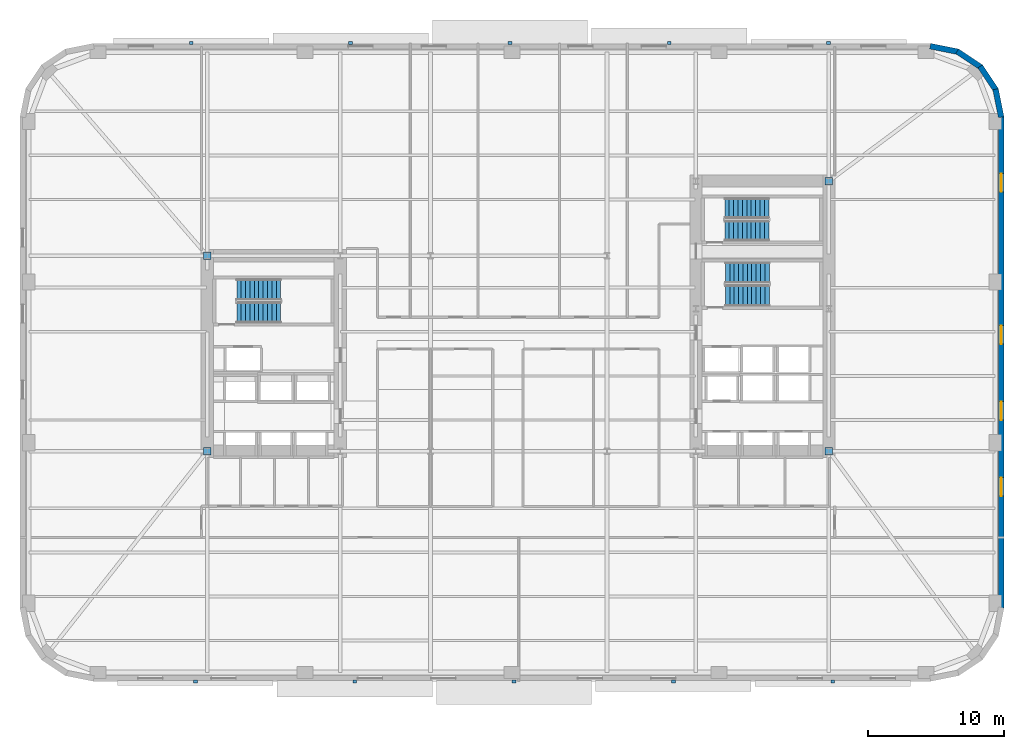
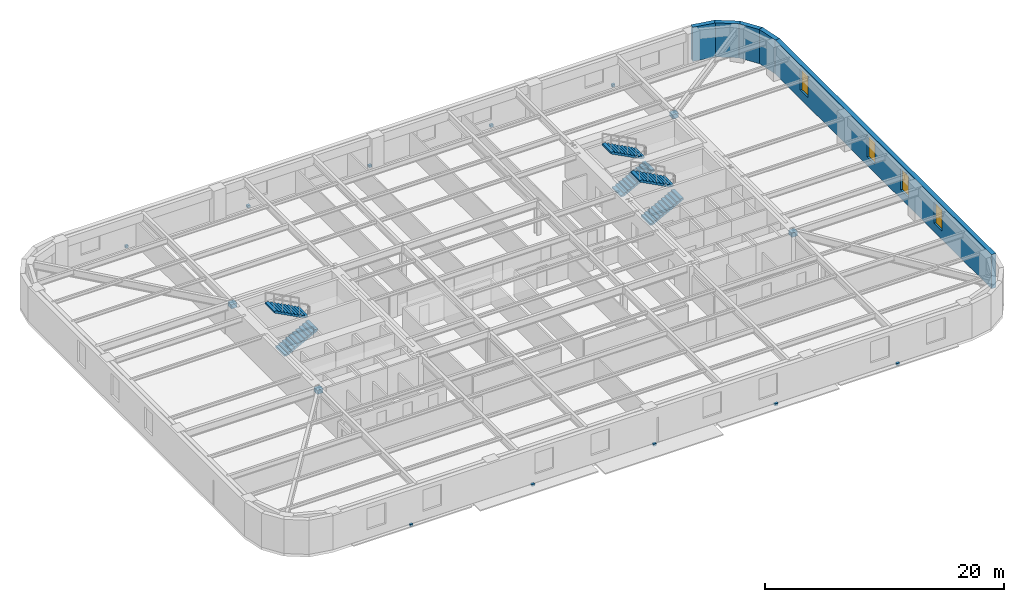
# One storey, part 8 of 14: 14 discrete accessories, 6 stair flights, 5 walls, 4 windows, 4 openings, 3 elements without a shape of their own.
"""IFC4 building model written with IfcOpenShell, lengths in metres."""

from ifc_helpers import new_model, si_unit, direction, frame, frame_2d, origin, origin_2d, place, context, subcontext, project, spatial, polyline, rectangle, outline, extrude, material, layer, layer_set, type_object, element, fill, aggregate, save


model = new_model("IFC4")

# Units and contexts
model_context = context("Model", 3, precision=1e-05, world=origin(), true_north=direction((0.0, 1.0)))
body_context = subcontext(model_context, "Body", "Model", "MODEL_VIEW")
ifc_project = project(units=[si_unit("LENGTHUNIT", "METRE"), si_unit("AREAUNIT", "SQUARE_METRE"), si_unit("VOLUMEUNIT", "CUBIC_METRE"), si_unit("PLANEANGLEUNIT", "RADIAN"), si_unit("MASSUNIT", "GRAM", prefix="KILO")], contexts=[model_context])

# Site, building, storey
site_placement = place(None, origin())
site = spatial("IfcSite", under=ifc_project, at=site_placement, CompositionType="ELEMENT")
building_placement = place(site_placement, origin())
building = spatial("IfcBuilding", under=site, at=building_placement, Name="Kolvaren Arena Tower", CompositionType="ELEMENT")
storey_placement = place(building_placement, frame((0.0, 0.0, 87.0)))
storey = spatial("IfcBuildingStorey", under=building, at=storey_placement, Name="L19", CompositionType="ELEMENT", Elevation=87.0)

# Wall, openings, windows
ifc_material_1 = material(Name="Precast concrete C50/60", Category="concrete")
ifc_layer = layer(ifc_material_1, 0.419921875)
ifc_layer_set = layer_set([ifc_layer], Name="Precast concrete C50/60")
wall_type = type_object("IfcWallType", Name="EXT-PIER1", PredefinedType="SOLIDWALL", material=ifc_layer_set)
wall_placement = place(storey_placement, frame((73.0400390625, 44.10009765625, 0.0), z_axis=(0.0, 0.0, 1.0), x_axis=(0.0, -1.0, 0.0)))
wall = element("IfcWall", 1, at=wall_placement, inside=storey, type_object=wall_type, Name="Exterior Precast Masonry-Frame Wall (L19)", PredefinedType="SOLIDWALL", context=body_context, shape_type="SweptSolid", body=[
    extrude(rectangle(XDim=36.2001953125, YDim=0.419921875, at=frame_2d((18.10009765625, 0.0))), origin(), (0.0, 0.0, 1.0), 3.47998046875),
])
opening_1_placement = place(wall_placement, frame((4.199951171875, 0.0, 0.8798828125)))
opening_1 = element("IfcOpeningElement", 2, at=opening_1_placement, cuts=wall, Name="Opening W04", PredefinedType="OPENING", context=body_context, shape_type="SweptSolid", body=[
    extrude(rectangle(XDim=1.35009765625, YDim=2.199951171875, at=frame_2d((0.675048828125, 1.10009765625))), frame((0.0, 0.219970703125, 0.0), z_axis=(0.0, -1.0, 0.0), x_axis=(1.0, 0.0, 0.0)), (0.0, 0.0, 1.0), 0.43994140625),
])
opening_2_placement = place(wall_placement, frame((15.39990234375, 0.0, 0.8798828125)))
opening_2 = element("IfcOpeningElement", 3, at=opening_2_placement, cuts=wall, Name="Opening W04", PredefinedType="OPENING", context=body_context, shape_type="SweptSolid", body=[
    extrude(rectangle(XDim=1.35009765625, YDim=2.199951171875, at=frame_2d((0.675048828125, 1.10009765625))), frame((0.0, 0.219970703125, 0.0), z_axis=(0.0, -1.0, 0.0), x_axis=(1.0, 0.0, 0.0)), (0.0, 0.0, 1.0), 0.43994140625),
])
opening_3_placement = place(wall_placement, frame((21.0, 0.0, 0.8798828125)))
opening_3 = element("IfcOpeningElement", 4, at=opening_3_placement, cuts=wall, Name="Opening W04", PredefinedType="OPENING", context=body_context, shape_type="SweptSolid", body=[
    extrude(rectangle(XDim=1.35009765625, YDim=2.199951171875, at=frame_2d((0.675048828125, 1.10009765625))), frame((0.0, 0.219970703125, 0.0), z_axis=(0.0, -1.0, 0.0), x_axis=(1.0, 0.0, 0.0)), (0.0, 0.0, 1.0), 0.43994140625),
])
opening_4_placement = place(wall_placement, frame((26.60009765625, 0.0, 0.8798828125)))
opening_4 = element("IfcOpeningElement", 5, at=opening_4_placement, cuts=wall, Name="Opening W04", PredefinedType="OPENING", context=body_context, shape_type="SweptSolid", body=[
    extrude(rectangle(XDim=1.35009765625, YDim=2.199951171875, at=frame_2d((0.675048828125, 1.10009765625))), frame((0.0, 0.219970703125, 0.0), z_axis=(0.0, -1.0, 0.0), x_axis=(1.0, 0.0, 0.0)), (0.0, 0.0, 1.0), 0.43994140625),
])
ifc_material_2 = material(Name="Triple-glazed curved-facet corner window", Category="glass")
window_type = type_object("IfcWindowType", Name="WIN-CRN-A", PartitioningType="SINGLE_PANEL", PredefinedType="WINDOW", material=ifc_material_2)
window_1_placement = place(opening_1_placement, origin())
window_1 = element("IfcWindow", 6, at=window_1_placement, inside=storey, type_object=window_type, Name="End-Wall Punched Window (L19)", OverallHeight=2.199951171875, OverallWidth=1.35009765625, PartitioningType="SINGLE_PANEL", PredefinedType="WINDOW", context=body_context, shape_type="SweptSolid", body=[
    extrude(rectangle(XDim=1.35009765625, YDim=2.199951171875, at=frame_2d((0.675048828125, 1.10009765625))), frame((0.0, 0.030029296875, 0.0), z_axis=(0.0, -1.0, 0.0), x_axis=(1.0, 0.0, 0.0)), (0.0, 0.0, 1.0), 0.06005859375),
])
fill(opening_1, window_1)
window_2_placement = place(opening_2_placement, origin())
window_2 = element("IfcWindow", 7, at=window_2_placement, inside=storey, type_object=window_type, Name="End-Wall Punched Window (L19)", OverallHeight=2.199951171875, OverallWidth=1.35009765625, PartitioningType="SINGLE_PANEL", PredefinedType="WINDOW", context=body_context, shape_type="SweptSolid", body=[
    extrude(rectangle(XDim=1.35009765625, YDim=2.199951171875, at=frame_2d((0.675048828125, 1.10009765625))), frame((0.0, 0.030029296875, 0.0), z_axis=(0.0, -1.0, 0.0), x_axis=(1.0, 0.0, 0.0)), (0.0, 0.0, 1.0), 0.06005859375),
])
fill(opening_2, window_2)
window_3_placement = place(opening_3_placement, origin())
window_3 = element("IfcWindow", 8, at=window_3_placement, inside=storey, type_object=window_type, Name="End-Wall Punched Window (L19)", OverallHeight=2.199951171875, OverallWidth=1.35009765625, PartitioningType="SINGLE_PANEL", PredefinedType="WINDOW", context=body_context, shape_type="SweptSolid", body=[
    extrude(rectangle(XDim=1.35009765625, YDim=2.199951171875, at=frame_2d((0.675048828125, 1.10009765625))), frame((0.0, 0.030029296875, 0.0), z_axis=(0.0, -1.0, 0.0), x_axis=(1.0, 0.0, 0.0)), (0.0, 0.0, 1.0), 0.06005859375),
])
fill(opening_3, window_3)
window_4_placement = place(opening_4_placement, origin())
window_4 = element("IfcWindow", 9, at=window_4_placement, inside=storey, type_object=window_type, Name="End-Wall Punched Window (L19)", OverallHeight=2.199951171875, OverallWidth=1.35009765625, PartitioningType="SINGLE_PANEL", PredefinedType="WINDOW", context=body_context, shape_type="SweptSolid", body=[
    extrude(rectangle(XDim=1.35009765625, YDim=2.199951171875, at=frame_2d((0.675048828125, 1.10009765625))), frame((0.0, 0.030029296875, 0.0), z_axis=(0.0, -1.0, 0.0), x_axis=(1.0, 0.0, 0.0)), (0.0, 0.0, 1.0), 0.06005859375),
])
fill(opening_4, window_4)

# Walls
for number, where, z_axis, x_axis, name in (
    (10, (72.6328125, 46.12548828125, 0.0), (0.0, 0.0, 1.0), (0.195135546048, -0.9807762837, 0.0), "Exterior Precast Masonry-Frame Wall (L19)"),
    (11, (71.493896484375, 47.8017578125, 0.0), (0.0, 0.0, 1.0), (0.555502146192, -0.831515102434, 0.0), "Exterior Precast Masonry-Frame Wall (L19)"),
    (12, (69.7998046875, 48.914306640625, 0.0), (0.0, 0.0, 1.0), (0.831515102434, -0.555502146192, 0.0), "Exterior Precast Masonry-Frame Wall (L19)"),
    (13, (67.80908203125, 49.2939453125, 0.0), (0.0, 0.0, 1.0), (0.9807762837, -0.195135546048, 0.0), "Exterior Precast Masonry-Frame Wall (L19)"),
):
    element("IfcWall", number, at=place(storey_placement, frame(where, z_axis=z_axis, x_axis=x_axis)), inside=storey, type_object=wall_type, Name=name, PredefinedType="SOLIDWALL", context=body_context, shape_type="SweptSolid", body=[
        extrude(rectangle(XDim=2.10693359375, YDim=0.419921875, at=frame_2d((1.053466796875, 0.0))), origin(), (0.0, 0.0, 1.0), 3.47998046875),
    ])

# Stair, stair flights
ifc_material_3 = material(Name="Concrete 45 MPa", Category="concrete")
stair_type_1 = type_object("IfcStairType", Name="STAIR-CORE-150", PredefinedType="HALF_TURN_STAIR", material=ifc_material_3)
stair_1_placement = place(storey_placement, origin())
stair_1 = element("IfcStair", 14, at=stair_1_placement, inside=storey, type_object=stair_type_1, Name="L19 ST-E2", PredefinedType="HALF_TURN_STAIR")
stair_flight_type_1 = type_object("IfcStairFlightType", Name="FLT-150", PredefinedType="STRAIGHT", material=ifc_material_3)
stair_flight_1_placement = place(storey_placement, frame((52.679931640625, 35.699951171875, 0.0), z_axis=(0.0, 0.0, 1.0), x_axis=(1.0, 0.0, 0.0)))
stair_flight_1 = element("IfcStairFlight", 15, at=stair_flight_1_placement, type_object=stair_flight_type_1, Name="ST-E2 flight 1", NumberOfRisers=11, NumberOfTreads=10, PredefinedType="STRAIGHT", RiserHeight=0.170454545, TreadLength=0.324, context=body_context, shape_type="SweptSolid", body=[
    extrude(outline(polyline([(0.0, 0.0), (0.0, 0.17041015625), (0.323974609375, 0.17041015625), (0.323974609375, 0.3408203125), (0.64794921875, 0.3408203125), (0.64794921875, 0.511474609375), (0.971923828125, 0.511474609375), (0.971923828125, 0.681884765625), (1.2958984375, 0.681884765625), (1.2958984375, 0.852294921875), (1.6201171875, 0.852294921875), (1.6201171875, 1.022705078125), (1.944091796875, 1.022705078125), (1.944091796875, 1.193115234375), (2.26806640625, 1.193115234375), (2.26806640625, 1.363525390625), (2.592041015625, 1.363525390625), (2.592041015625, 1.5341796875), (2.916015625, 1.5341796875), (2.916015625, 1.70458984375), (3.239990234375, 1.70458984375), (3.239990234375, 1.875), (3.239990234375, 1.53515625), (0.322021484375, 0.0), (0.0, 0.0)])), frame((0.0, 0.75, 0.0), z_axis=(0.0, -1.0, 0.0), x_axis=(1.0, 0.0, 0.0)), (0.0, 0.0, 1.0), 1.5),
])
stair_flight_2_placement = place(storey_placement, frame((55.919921875, 37.35009765625, 1.875), z_axis=(0.0, 0.0, 1.0), x_axis=(-1.0, 0.0, 0.0)))
stair_flight_2 = element("IfcStairFlight", 16, at=stair_flight_2_placement, type_object=stair_flight_type_1, Name="ST-E2 flight 2", NumberOfRisers=11, NumberOfTreads=10, PredefinedType="STRAIGHT", RiserHeight=0.170454545, TreadLength=0.324, context=body_context, shape_type="SweptSolid", body=[
    extrude(outline(polyline([(0.0, 0.0), (0.0, 0.17041015625), (0.323974609375, 0.17041015625), (0.323974609375, 0.3408203125), (0.64794921875, 0.3408203125), (0.64794921875, 0.511474609375), (0.971923828125, 0.511474609375), (0.971923828125, 0.681884765625), (1.2958984375, 0.681884765625), (1.2958984375, 0.852294921875), (1.6201171875, 0.852294921875), (1.6201171875, 1.022705078125), (1.944091796875, 1.022705078125), (1.944091796875, 1.193115234375), (2.26806640625, 1.193115234375), (2.26806640625, 1.363525390625), (2.592041015625, 1.363525390625), (2.592041015625, 1.5341796875), (2.916015625, 1.5341796875), (2.916015625, 1.70458984375), (3.239990234375, 1.70458984375), (3.239990234375, 1.875), (3.239990234375, 1.53515625), (0.322021484375, 0.0), (0.0, 0.0)])), frame((0.0, 0.75, 0.0), z_axis=(0.0, -1.0, 0.0), x_axis=(1.0, 0.0, 0.0)), (0.0, 0.0, 1.0), 1.5),
])
aggregate(stair_1, [stair_flight_1, stair_flight_2])

stair_type_2 = type_object("IfcStairType", Name="STAIR-CORE-165", PredefinedType="HALF_TURN_STAIR", material=ifc_material_3)
stair_2_placement = place(storey_placement, origin())
stair_2 = element("IfcStair", 17, at=stair_2_placement, inside=storey, type_object=stair_type_2, Name="L19 ST-W1", PredefinedType="HALF_TURN_STAIR")
stair_flight_type_2 = type_object("IfcStairFlightType", Name="FLT-165", PredefinedType="STRAIGHT", material=ifc_material_3)
stair_flight_3_placement = place(storey_placement, frame((16.719970703125, 29.669921875, 0.0), z_axis=(0.0, 0.0, 1.0), x_axis=(1.0, 0.0, 0.0)))
stair_flight_3 = element("IfcStairFlight", 18, at=stair_flight_3_placement, type_object=stair_flight_type_2, Name="ST-W1 flight 1", NumberOfRisers=11, NumberOfTreads=10, PredefinedType="STRAIGHT", RiserHeight=0.170454545, TreadLength=0.324, context=body_context, shape_type="SweptSolid", body=[
    extrude(outline(polyline([(0.0, 0.0), (0.0, 0.17041015625), (0.323974609375, 0.17041015625), (0.323974609375, 0.3408203125), (0.64794921875, 0.3408203125), (0.64794921875, 0.511474609375), (0.971923828125, 0.511474609375), (0.971923828125, 0.681884765625), (1.2958984375, 0.681884765625), (1.2958984375, 0.852294921875), (1.6201171875, 0.852294921875), (1.6201171875, 1.022705078125), (1.944091796875, 1.022705078125), (1.944091796875, 1.193115234375), (2.26806640625, 1.193115234375), (2.26806640625, 1.363525390625), (2.592041015625, 1.363525390625), (2.592041015625, 1.5341796875), (2.916015625, 1.5341796875), (2.916015625, 1.70458984375), (3.239990234375, 1.70458984375), (3.239990234375, 1.875), (3.239990234375, 1.53515625), (0.322021484375, 0.0), (0.0, 0.0)])), frame((0.0, 0.77001953125, 0.0), z_axis=(0.0, -1.0, 0.0), x_axis=(1.0, 0.0, 0.0)), (0.0, 0.0, 1.0), 1.5400390625),
])
stair_flight_4_placement = place(storey_placement, frame((19.9599609375, 31.360107421875, 1.875), z_axis=(0.0, 0.0, 1.0), x_axis=(-1.0, 0.0, 0.0)))
stair_flight_4 = element("IfcStairFlight", 19, at=stair_flight_4_placement, type_object=stair_flight_type_2, Name="ST-W1 flight 2", NumberOfRisers=11, NumberOfTreads=10, PredefinedType="STRAIGHT", RiserHeight=0.170454545, TreadLength=0.324, context=body_context, shape_type="SweptSolid", body=[
    extrude(outline(polyline([(0.0, 0.0), (0.0, 0.17041015625), (0.323974609375, 0.17041015625), (0.323974609375, 0.3408203125), (0.64794921875, 0.3408203125), (0.64794921875, 0.511474609375), (0.971923828125, 0.511474609375), (0.971923828125, 0.681884765625), (1.2958984375, 0.681884765625), (1.2958984375, 0.852294921875), (1.6201171875, 0.852294921875), (1.6201171875, 1.022705078125), (1.944091796875, 1.022705078125), (1.944091796875, 1.193115234375), (2.26806640625, 1.193115234375), (2.26806640625, 1.363525390625), (2.592041015625, 1.363525390625), (2.592041015625, 1.5341796875), (2.916015625, 1.5341796875), (2.916015625, 1.70458984375), (3.239990234375, 1.70458984375), (3.239990234375, 1.875), (3.239990234375, 1.53515625), (0.322021484375, 0.0), (0.0, 0.0)])), frame((0.0, 0.77001953125, 0.0), z_axis=(0.0, -1.0, 0.0), x_axis=(1.0, 0.0, 0.0)), (0.0, 0.0, 1.0), 1.5400390625),
])
aggregate(stair_2, [stair_flight_3, stair_flight_4])

stair_3_placement = place(storey_placement, origin())
stair_3 = element("IfcStair", 20, at=stair_3_placement, inside=storey, type_object=stair_type_2, Name="L19 ST-E1", PredefinedType="HALF_TURN_STAIR")
stair_flight_5_placement = place(storey_placement, frame((52.719970703125, 30.919921875, 0.0), z_axis=(0.0, 0.0, 1.0), x_axis=(1.0, 0.0, 0.0)))
stair_flight_5 = element("IfcStairFlight", 21, at=stair_flight_5_placement, type_object=stair_flight_type_2, Name="ST-E1 flight 1", NumberOfRisers=11, NumberOfTreads=10, PredefinedType="STRAIGHT", RiserHeight=0.170454545, TreadLength=0.324, context=body_context, shape_type="SweptSolid", body=[
    extrude(outline(polyline([(0.0, 0.0), (0.0, 0.17041015625), (0.323974609375, 0.17041015625), (0.323974609375, 0.3408203125), (0.64794921875, 0.3408203125), (0.64794921875, 0.511474609375), (0.971923828125, 0.511474609375), (0.971923828125, 0.681884765625), (1.2958984375, 0.681884765625), (1.2958984375, 0.852294921875), (1.6201171875, 0.852294921875), (1.6201171875, 1.022705078125), (1.944091796875, 1.022705078125), (1.944091796875, 1.193115234375), (2.26806640625, 1.193115234375), (2.26806640625, 1.363525390625), (2.592041015625, 1.363525390625), (2.592041015625, 1.5341796875), (2.916015625, 1.5341796875), (2.916015625, 1.70458984375), (3.239990234375, 1.70458984375), (3.239990234375, 1.875), (3.239990234375, 1.53515625), (0.322021484375, 0.0), (0.0, 0.0)])), frame((0.0, 0.77001953125, 0.0), z_axis=(0.0, -1.0, 0.0), x_axis=(1.0, 0.0, 0.0)), (0.0, 0.0, 1.0), 1.5400390625),
])
stair_flight_6_placement = place(storey_placement, frame((55.9599609375, 32.610107421875, 1.875), z_axis=(0.0, 0.0, 1.0), x_axis=(-1.0, 0.0, 0.0)))
stair_flight_6 = element("IfcStairFlight", 22, at=stair_flight_6_placement, type_object=stair_flight_type_2, Name="ST-E1 flight 2", NumberOfRisers=11, NumberOfTreads=10, PredefinedType="STRAIGHT", RiserHeight=0.170454545, TreadLength=0.324, context=body_context, shape_type="SweptSolid", body=[
    extrude(outline(polyline([(0.0, 0.0), (0.0, 0.17041015625), (0.323974609375, 0.17041015625), (0.323974609375, 0.3408203125), (0.64794921875, 0.3408203125), (0.64794921875, 0.511474609375), (0.971923828125, 0.511474609375), (0.971923828125, 0.681884765625), (1.2958984375, 0.681884765625), (1.2958984375, 0.852294921875), (1.6201171875, 0.852294921875), (1.6201171875, 1.022705078125), (1.944091796875, 1.022705078125), (1.944091796875, 1.193115234375), (2.26806640625, 1.193115234375), (2.26806640625, 1.363525390625), (2.592041015625, 1.363525390625), (2.592041015625, 1.5341796875), (2.916015625, 1.5341796875), (2.916015625, 1.70458984375), (3.239990234375, 1.70458984375), (3.239990234375, 1.875), (3.239990234375, 1.53515625), (0.322021484375, 0.0), (0.0, 0.0)])), frame((0.0, 0.77001953125, 0.0), z_axis=(0.0, -1.0, 0.0), x_axis=(1.0, 0.0, 0.0)), (0.0, 0.0, 1.0), 1.5400390625),
])
aggregate(stair_3, [stair_flight_5, stair_flight_6])

# Discrete accessories
ifc_material_4 = material(Name="Stainless steel facade support bracket", Category="steel")
discrete_accessory_type_1 = type_object("IfcDiscreteAccessoryType", Name="ACC-BRKT-1", PredefinedType="BRACKET", material=ifc_material_4)
for number, where, z_axis, x_axis, name in (
    (23, (13.3701171875, 49.52001953125, -0.18017578125), (0.0, 0.0, 1.0), (1.0, 0.0, 0.0), "Sunshade Support Bracket (L19)"),
    (24, (25.110107421875, 49.52001953125, -0.18017578125), (0.0, 0.0, 1.0), (1.0, 0.0, 0.0), "Sunshade Support Bracket (L19)"),
    (25, (36.85009765625, 49.52001953125, -0.18017578125), (0.0, 0.0, 1.0), (1.0, 0.0, 0.0), "Sunshade Support Bracket (L19)"),
    (26, (48.590087890625, 49.52001953125, -0.18017578125), (0.0, 0.0, 1.0), (1.0, 0.0, 0.0), "Sunshade Support Bracket (L19)"),
    (27, (60.330078125, 49.52001953125, -0.18017578125), (0.0, 0.0, 1.0), (1.0, 0.0, 0.0), "Sunshade Support Bracket (L19)"),
    (28, (60.6298828125, 2.47998046875, -0.18017578125), (0.0, 0.0, 1.0), (-1.0, 0.0, 0.0), "Sunshade Support Bracket (L19)"),
    (29, (48.889892578125, 2.47998046875, -0.18017578125), (0.0, 0.0, 1.0), (-1.0, 0.0, 0.0), "Sunshade Support Bracket (L19)"),
    (30, (37.14990234375, 2.47998046875, -0.18017578125), (0.0, 0.0, 1.0), (-1.0, 0.0, 0.0), "Sunshade Support Bracket (L19)"),
    (31, (25.409912109375, 2.47998046875, -0.18017578125), (0.0, 0.0, 1.0), (-1.0, 0.0, 0.0), "Sunshade Support Bracket (L19)"),
    (32, (13.669921875, 2.47998046875, -0.18017578125), (0.0, 0.0, 1.0), (-1.0, 0.0, 0.0), "Sunshade Support Bracket (L19)"),
):
    element("IfcDiscreteAccessory", number, at=place(storey_placement, frame(where, z_axis=z_axis, x_axis=x_axis)), inside=storey, type_object=discrete_accessory_type_1, Name=name, PredefinedType="BRACKET", context=body_context, shape_type="SweptSolid", body=[
        extrude(rectangle(XDim=0.280029296875, YDim=0.239990234375, at=origin_2d()), origin(), (0.0, 0.0, 1.0), 0.239990234375),
    ])
ifc_material_5 = material(Name="Steel CSA G40.21 350W bolted gusset connection", Category="steel")
discrete_accessory_type_2 = type_object("IfcDiscreteAccessoryType", Name="ACC-CONN-1", PredefinedType="BRACKET", material=ifc_material_5)
for number, where, z_axis, x_axis, name in (
    (33, (60.35009765625, 19.449951171875, 2.87353515625), (0.0, 0.0, 1.0), (1.0, 0.0, 0.0), "Core Wall Cast-In Embed Plate EP1 (L19)"),
    (34, (60.35009765625, 39.35009765625, 2.87353515625), (0.0, 0.0, 1.0), (1.0, 0.0, 0.0), "Core Wall Cast-In Embed Plate EP1 (L19)"),
    (35, (14.550048828125, 33.85009765625, 2.87353515625), (0.0, 0.0, 1.0), (1.0, 0.0, 0.0), "Core Wall Cast-In Embed Plate EP1 (L19)"),
    (36, (14.550048828125, 19.449951171875, 2.87353515625), (0.0, 0.0, 1.0), (1.0, 0.0, 0.0), "Core Wall Cast-In Embed Plate EP1 (L19)"),
):
    element("IfcDiscreteAccessory", number, at=place(storey_placement, frame(where, z_axis=z_axis, x_axis=x_axis)), inside=storey, type_object=discrete_accessory_type_2, Name=name, PredefinedType="BRACKET", context=body_context, shape_type="SweptSolid", body=[
        extrude(rectangle(XDim=0.56005859375, YDim=0.56005859375, at=origin_2d()), origin(), (0.0, 0.0, 1.0), 0.43994140625),
    ])

save(model, "model.ifc")
